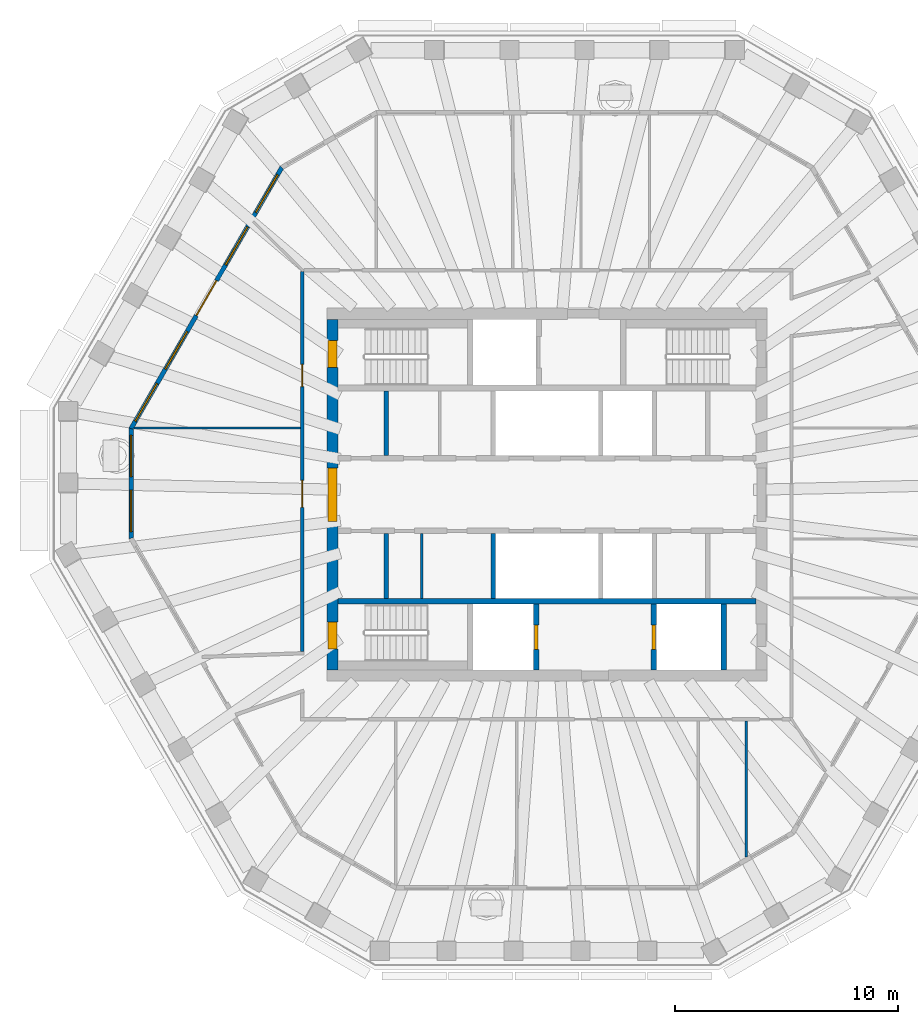
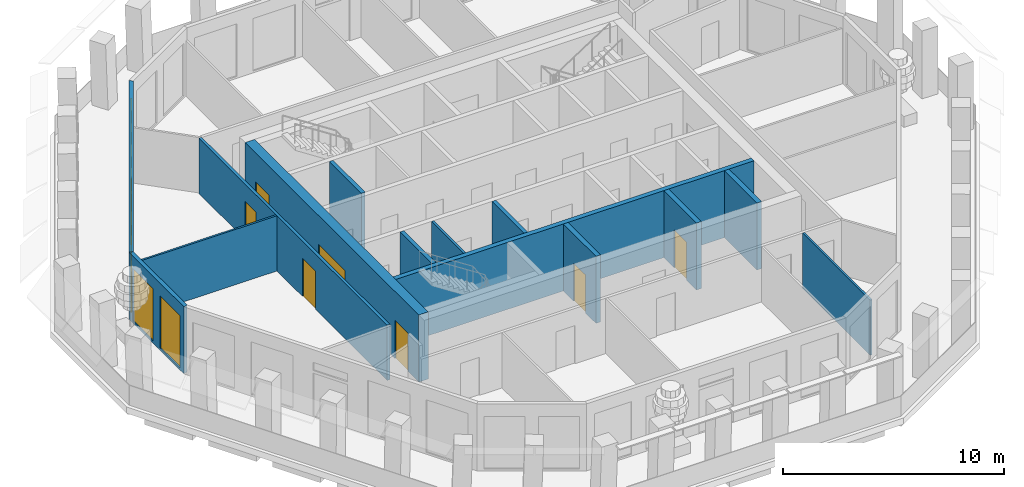
# One storey, part 4 of 11: 14 walls, 8 doors, 7 windows, 15 openings.
"""IFC4 building model written with IfcOpenShell, lengths in metres."""

import ifcopenshell
import ifcopenshell.guid

model = None  # the IFC model being written
_history = None  # IfcOwnerHistory: only IFC2X3 demands one
_inside = {}  # id of a spatial element -> (the spatial element, [elements in it])
_under = {}  # id of a project, library or spatial element -> (it, [spatial elements below it])
_declared = {}  # id of a project -> (the project, [libraries it declares])
_typed = {}  # id of a type object -> (the type object, [elements of that type])
_made_of = {}  # id of a material, layer set ... -> (it, [elements and type objects made of it])


def new_model(schema):
    """Start an empty IFC model of exactly this schema.

    Asked for "IFC4X3", IfcOpenShell would pick the latest addendum, in which some entities
    have other attributes; the version numbers below select the first issue.
    IFC2X3 requires an IfcOwnerHistory on every rooted entity: one is made here for all.
    """
    global model, _history
    if schema == "IFC4X3":
        model = ifcopenshell.file(schema_version=(4, 3, 0, 0))
    else:
        model = ifcopenshell.file(schema=schema)
    _inside.clear()
    _under.clear()
    _declared.clear()
    _typed.clear()
    _made_of.clear()
    _history = None
    if model.schema == "IFC2X3":
        org = make("IfcOrganization", Name="unknown")
        user = make(
            "IfcPersonAndOrganization",
            ThePerson=make("IfcPerson", FamilyName="unknown"),
            TheOrganization=org,
        )
        app = make(
            "IfcApplication",
            ApplicationDeveloper=org,
            Version="unknown",
            ApplicationFullName="unknown",
            ApplicationIdentifier="unknown",
        )
        _history = make(
            "IfcOwnerHistory",
            OwningUser=user,
            OwningApplication=app,
            ChangeAction="ADDED",
            CreationDate=0,
        )
    return model


def make(cls, **values):
    """One entity of the class cls with the attributes given. An attribute that is None is left unset."""
    return model.create_entity(
        cls, **{name: value for name, value in values.items() if value is not None}
    )


def rooted(cls, **values):
    """An entity with a GlobalId (a new one), such as an element, a storey or a relation."""
    return make(cls, GlobalId=ifcopenshell.guid.new(), OwnerHistory=_history, **values)


def si_unit(unit_type, name, prefix=None):
    """IfcSIUnit, for example si_unit("LENGTHUNIT", "METRE", prefix="MILLI")."""
    return make("IfcSIUnit", UnitType=unit_type, Prefix=prefix, Name=name)


def assignment(units):
    """IfcUnitAssignment: the units of a project."""
    return None if units is None else make("IfcUnitAssignment", Units=units)


def point(xyz):
    """IfcCartesianPoint."""
    return None if xyz is None else make("IfcCartesianPoint", Coordinates=xyz)


def direction(xyz):
    """IfcDirection."""
    return None if xyz is None else make("IfcDirection", DirectionRatios=xyz)


def frame(location, z_axis=None, x_axis=None):
    """IfcAxis2Placement3D, a coordinate frame: its origin and axes. An axis left out is left unset."""
    return make(
        "IfcAxis2Placement3D",
        Location=point(location),
        Axis=direction(z_axis),
        RefDirection=direction(x_axis),
    )


def frame_2d(location, x_axis=None):
    """IfcAxis2Placement2D, a coordinate frame in the plane: its origin and x axis."""
    return make(
        "IfcAxis2Placement2D", Location=point(location), RefDirection=direction(x_axis)
    )


def origin():
    """The frame at (0, 0, 0) with its axes left unset."""
    return frame((0.0, 0.0, 0.0))


def place(relative_to, where):
    """IfcLocalPlacement: puts the frame where relative to a parent placement (None: the world)."""
    return make(
        "IfcLocalPlacement", PlacementRelTo=relative_to, RelativePlacement=where
    )


def context(
    kind, dimensions, precision=None, world=None, true_north=None, identifier=None
):
    """IfcGeometricRepresentationContext, for example the 3D "Model" context."""
    return make(
        "IfcGeometricRepresentationContext",
        ContextIdentifier=identifier,
        ContextType=kind,
        CoordinateSpaceDimension=dimensions,
        Precision=precision,
        WorldCoordinateSystem=world,
        TrueNorth=true_north,
    )


def subcontext(parent, identifier, kind, view, scale=None):
    """IfcGeometricRepresentationSubContext, for example "Body" below "Model"."""
    return make(
        "IfcGeometricRepresentationSubContext",
        ContextIdentifier=identifier,
        ContextType=kind,
        ParentContext=parent,
        TargetScale=scale,
        TargetView=view,
    )


def project(units=None, contexts=None):
    """IfcProject with its units and contexts."""
    return rooted(
        "IfcProject",
        Name="project",
        RepresentationContexts=contexts,
        UnitsInContext=assignment(units),
    )


def spatial(cls, under=None, at=None, **own):
    """A site, building, storey or space (cls), placed at a placement, below another one or the project."""
    s = rooted(cls, ObjectPlacement=at, **own)
    if under is not None:
        _under.setdefault(under.id(), (under, []))[1].append(s)
    return s


def polyline(points):
    """IfcPolyline through the points."""
    return make("IfcPolyline", Points=[point(p) for p in points])


def profile(cls, at=None, kind="AREA", **sizes):
    """A parametric profile (cls). Its sizes go by their IFC names, for example OverallWidth=200.0."""
    return make(cls, ProfileType=kind, Position=at, **sizes)


def rectangle(**sizes):
    """IfcRectangleProfileDef."""
    return profile("IfcRectangleProfileDef", **sizes)


def outline(outer, holes=None, kind="AREA"):
    """IfcArbitraryClosedProfileDef: a profile drawn as a closed curve; with holes, ...WithVoids."""
    if holes is None:
        return make("IfcArbitraryClosedProfileDef", ProfileType=kind, OuterCurve=outer)
    return make(
        "IfcArbitraryProfileDefWithVoids",
        ProfileType=kind,
        OuterCurve=outer,
        InnerCurves=holes,
    )


def extrude(swept, where, along, depth):
    """IfcExtrudedAreaSolid: the profile swept, set in the frame where, extruded along a direction by depth."""
    return make(
        "IfcExtrudedAreaSolid",
        SweptArea=swept,
        Position=where,
        ExtrudedDirection=direction(along),
        Depth=depth,
    )


def shape(context_of_items, identifier, shape_type, items):
    """IfcShapeRepresentation: the items that make up one representation, for example the "Body"."""
    return make(
        "IfcShapeRepresentation",
        ContextOfItems=context_of_items,
        RepresentationIdentifier=identifier,
        RepresentationType=shape_type,
        Items=items,
    )


def material(Name=None, Category=None):
    """IfcMaterial."""
    return make("IfcMaterial", Name=Name, Category=Category)


def layer(
    of_material, thickness, ventilated=None, Name=None, Category=None, Priority=None
):
    """IfcMaterialLayer: one layer of a wall or slab, of a material (None: an air gap)."""
    return make(
        "IfcMaterialLayer",
        Material=of_material,
        LayerThickness=thickness,
        IsVentilated=ventilated,
        Name=Name,
        Category=Category,
        Priority=Priority,
    )


def layer_set(layers, Name=None):
    """IfcMaterialLayerSet."""
    return make("IfcMaterialLayerSet", MaterialLayers=layers, LayerSetName=Name)


def made_of(thing, what):
    """Note that an element or type object is made of a material, layer set ...; save() writes the relation."""
    if what is not None:
        _made_of.setdefault(what.id(), (what, []))[1].append(thing)
    return thing


def type_object(cls, material=None, **own):
    """A type object (cls), such as IfcWallType, which elements share."""
    return made_of(rooted(cls, **own), material)


def element(
    cls,
    number,
    at=None,
    inside=None,
    cuts=None,
    type_object=None,
    material=None,
    context=None,
    identifier="Body",
    shape_type=None,
    held_by="IfcProductDefinitionShape",
    body=None,
    shapes=None,
    **own,
):
    """One element of the class cls, such as IfcWall. Its Tag is "e" and its number.

    at: its placement. inside: the storey or other place that contains it. cuts: it is an
    opening in that element (IfcRelVoidsElement). A single representation is given by context,
    identifier, shape_type and body (its items); several are given by shapes. held_by: the class
    of the entity that holds the representations. save() writes the other relations.
    """
    e = rooted(cls, Tag="e%d" % number, ObjectPlacement=at, **own)
    if body is not None:
        shapes = [shape(context, identifier, shape_type, body)]
    if shapes is not None:
        e.Representation = make(held_by, Representations=shapes)
    if inside is not None:
        _inside.setdefault(inside.id(), (inside, []))[1].append(e)
    if cuts is not None:
        rooted(
            "IfcRelVoidsElement", RelatingBuildingElement=cuts, RelatedOpeningElement=e
        )
    if type_object is not None:
        _typed.setdefault(type_object.id(), (type_object, []))[1].append(e)
    return made_of(e, material)


def fill(opening, filler):
    """IfcRelFillsElement: the door or window that sits in an opening."""
    return rooted(
        "IfcRelFillsElement",
        RelatingOpeningElement=opening,
        RelatedBuildingElement=filler,
    )


def aggregate(whole, parts):
    """IfcRelAggregates: a whole, such as a stair, and the parts it consists of."""
    return rooted("IfcRelAggregates", RelatingObject=whole, RelatedObjects=parts)


def save(model, path):
    """Write the relations noted so far, then the file.

    IfcRelAggregates (storeys below a building ...), IfcRelContainedInSpatialStructure (elements
    in a storey), IfcRelDefinesByType, IfcRelAssociatesMaterial and IfcRelDeclares: one each for
    every whole, place, type object, material and project.
    """
    for whole, parts in _under.values():
        aggregate(whole, parts)
    for where, things in _inside.values():
        rooted(
            "IfcRelContainedInSpatialStructure",
            RelatedElements=things,
            RelatingStructure=where,
        )
    for kind, things in _typed.values():
        rooted("IfcRelDefinesByType", RelatedObjects=things, RelatingType=kind)
    for what, things in _made_of.values():
        rooted("IfcRelAssociatesMaterial", RelatedObjects=things, RelatingMaterial=what)
    for by, libraries in _declared.values():
        rooted("IfcRelDeclares", RelatingContext=by, RelatedDefinitions=libraries)
    model.write(path)


model = new_model("IFC4")

# Units and contexts
model_context = context("Model", 3, precision=1e-05, world=origin(), true_north=direction((0.0, 1.0)))
body_context = subcontext(model_context, "Body", "Model", "MODEL_VIEW")
ifc_project = project(units=[si_unit("LENGTHUNIT", "METRE"), si_unit("AREAUNIT", "SQUARE_METRE"), si_unit("VOLUMEUNIT", "CUBIC_METRE"), si_unit("PLANEANGLEUNIT", "RADIAN"), si_unit("MASSUNIT", "GRAM", prefix="KILO")], contexts=[model_context])

# Site, building, storey
site_placement = place(None, origin())
site = spatial("IfcSite", under=ifc_project, at=site_placement, CompositionType="ELEMENT")
building_placement = place(site_placement, origin())
building = spatial("IfcBuilding", under=site, at=building_placement, Name="Frailejon Research Tower", CompositionType="ELEMENT")
storey_placement = place(building_placement, frame((0.0, 0.0, 324.60009765625)))
storey = spatial("IfcBuildingStorey", under=building, at=storey_placement, Name="L72", CompositionType="ELEMENT", Elevation=324.60009765625)

# Wall
ifc_material_1 = material(Name="Plasterboard on steel studs", Category="steel")
ifc_layer_1 = layer(ifc_material_1, 0.125)
ifc_layer_set_1 = layer_set([ifc_layer_1], Name="Core partition 125")
wall_type_1 = type_object("IfcWallType", Name="Core partition 125", PredefinedType="PARTITIONING", material=ifc_layer_set_1)
wall_1_placement = place(storey_placement, frame((-5.60009765625, -4.64990234375, 0.0), z_axis=(0.0, 0.0, 1.0), x_axis=(0.0, 1.0, 0.0)))
element("IfcWall", 1, at=wall_1_placement, inside=storey, type_object=wall_type_1, Name="Core partition", PredefinedType="PARTITIONING", context=body_context, shape_type="SweptSolid", body=[
    extrude(rectangle(XDim=2.89990234375, YDim=0.125, at=frame_2d((1.449951171875, 0.0))), origin(), (0.0, 0.0, 1.0), 3.699951171875),
])

# Wall, openings, doors
ifc_material_2 = material(Name="Concrete C50/60", Category="concrete")
ifc_layer_2 = layer(ifc_material_2, 0.5)
ifc_layer_set_2 = layer_set([ifc_layer_2], Name="Core shear wall 500 C50/60")
wall_type_2 = type_object("IfcWallType", Name="Core shear wall 500 C50/60", PredefinedType="SHEAR", material=ifc_layer_set_2)
wall_2_placement = place(storey_placement, frame((-9.60009765625, -7.85009765625, 0.0), z_axis=(0.0, 0.0, 1.0), x_axis=(0.0, 1.0, 0.0)))
wall_2 = element("IfcWall", 2, at=wall_2_placement, inside=storey, type_object=wall_type_2, Name="Core shear wall", PredefinedType="SHEAR", context=body_context, shape_type="SweptSolid", body=[
    extrude(rectangle(XDim=15.7001953125, YDim=0.5, at=frame_2d((7.85009765625, 0.0))), origin(), (0.0, 0.0, 1.0), 3.699951171875),
])
opening_1_placement = place(wall_2_placement, frame((6.64990234375, 0.0, 0.0)))
opening_1 = element("IfcOpeningElement", 3, at=opening_1_placement, cuts=wall_2, Name="Opening D2", PredefinedType="OPENING", context=body_context, shape_type="SweptSolid", body=[
    extrude(rectangle(XDim=2.39990234375, YDim=2.10009765625, at=frame_2d((1.199951171875, 1.050048828125))), frame((0.0, 0.260009765625, 0.0), z_axis=(0.0, -1.0, 0.0), x_axis=(1.0, 0.0, 0.0)), (0.0, 0.0, 1.0), 0.52001953125),
])
opening_2_placement = place(wall_2_placement, frame((13.550048828125, 0.0, 0.0)))
opening_2 = element("IfcOpeningElement", 4, at=opening_2_placement, cuts=wall_2, Name="Opening D1", PredefinedType="OPENING", context=body_context, shape_type="SweptSolid", body=[
    extrude(rectangle(XDim=1.199951171875, YDim=2.10009765625, at=frame_2d((0.60009765625, 1.050048828125))), frame((0.0, 0.260009765625, 0.0), z_axis=(0.0, -1.0, 0.0), x_axis=(1.0, 0.0, 0.0)), (0.0, 0.0, 1.0), 0.52001953125),
])
opening_3_placement = place(wall_2_placement, frame((0.949951171875, 0.0, 0.0)))
opening_3 = element("IfcOpeningElement", 5, at=opening_3_placement, cuts=wall_2, Name="Opening D1", PredefinedType="OPENING", context=body_context, shape_type="SweptSolid", body=[
    extrude(rectangle(XDim=1.199951171875, YDim=2.10009765625, at=frame_2d((0.60009765625, 1.050048828125))), frame((0.0, 0.260009765625, 0.0), z_axis=(0.0, -1.0, 0.0), x_axis=(1.0, 0.0, 0.0)), (0.0, 0.0, 1.0), 0.52001953125),
])
ifc_material_3 = material(Name="Steel", Category="steel")
door_type_1 = type_object("IfcDoorType", Name="Lobby double door", OperationType="DOUBLE_DOOR_SINGLE_SWING", PredefinedType="DOOR", material=ifc_material_3)
door_1_placement = place(opening_1_placement, origin())
door_1 = element("IfcDoor", 6, at=door_1_placement, inside=storey, type_object=door_type_1, Name="Lobby door", OperationType="DOUBLE_DOOR_SINGLE_SWING", OverallHeight=2.10009765625, OverallWidth=2.39990234375, PredefinedType="DOOR", context=body_context, shape_type="SweptSolid", body=[
    extrude(rectangle(XDim=2.39990234375, YDim=2.10009765625, at=frame_2d((1.199951171875, 1.050048828125))), frame((0.0, 0.199951171875, 0.0), z_axis=(0.0, -1.0, 0.0), x_axis=(1.0, 0.0, 0.0)), (0.0, 0.0, 1.0), 0.39990234375),
])
fill(opening_1, door_1)
ifc_material_4 = material(Name="Steel", Category="steel")
door_type_2 = type_object("IfcDoorType", Name="Stair door", OperationType="SINGLE_SWING_LEFT", PredefinedType="DOOR", material=ifc_material_4)
door_2_placement = place(opening_2_placement, origin())
door_2 = element("IfcDoor", 7, at=door_2_placement, inside=storey, type_object=door_type_2, Name="Stair door ST1", OperationType="SINGLE_SWING_RIGHT", OverallHeight=2.10009765625, OverallWidth=1.199951171875, PredefinedType="DOOR", context=body_context, shape_type="SweptSolid", body=[
    extrude(rectangle(XDim=1.199951171875, YDim=2.10009765625, at=frame_2d((0.60009765625, 1.050048828125))), frame((0.0, 0.199951171875, 0.0), z_axis=(0.0, -1.0, 0.0), x_axis=(1.0, 0.0, 0.0)), (0.0, 0.0, 1.0), 0.39990234375),
])
fill(opening_2, door_2)
door_3_placement = place(opening_3_placement, origin())
door_3 = element("IfcDoor", 8, at=door_3_placement, inside=storey, type_object=door_type_2, Name="Stair door ST2", OperationType="SINGLE_SWING_LEFT", OverallHeight=2.10009765625, OverallWidth=1.199951171875, PredefinedType="DOOR", context=body_context, shape_type="SweptSolid", body=[
    extrude(rectangle(XDim=1.199951171875, YDim=2.10009765625, at=frame_2d((0.60009765625, 1.050048828125))), frame((0.0, 0.199951171875, 0.0), z_axis=(0.0, -1.0, 0.0), x_axis=(1.0, 0.0, 0.0)), (0.0, 0.0, 1.0), 0.39990234375),
])
fill(opening_3, door_3)

ifc_material_5 = material(Name="Gypsum board and masonry partition", Category="masonry")
ifc_layer_3 = layer(ifc_material_5, 0.14990234375)
ifc_layer_set_3 = layer_set([ifc_layer_3], Name="Corridor wall EI 60, gypsum on steel studs 150")
wall_type_3 = type_object("IfcWallType", Name="Corridor wall EI 60, gypsum on steel studs 150", PredefinedType="PARTITIONING", material=ifc_layer_set_3)
wall_3_placement = place(storey_placement, frame((-10.949951171875, -7.02490234375, 0.0), z_axis=(0.0, 0.0, 1.0), x_axis=(0.0, 1.0, 0.0)))
wall_3 = element("IfcWall", 9, at=wall_3_placement, inside=storey, type_object=wall_type_3, Name="T:IW:L72:007", PredefinedType="PARTITIONING", context=body_context, shape_type="SweptSolid", body=[
    extrude(rectangle(XDim=17.02490234375, YDim=0.14990234375, at=frame_2d((8.512451171875, 0.0))), origin(), (0.0, 0.0, 1.0), 3.0498046875),
])
opening_4_placement = place(wall_3_placement, frame((11.856689453125, 0.0, 0.0)))
opening_4 = element("IfcOpeningElement", 10, at=opening_4_placement, cuts=wall_3, Name="Opening D2355", PredefinedType="OPENING", context=body_context, shape_type="SweptSolid", body=[
    extrude(rectangle(XDim=1.0, YDim=2.10009765625, at=frame_2d((0.5, 1.050048828125))), frame((0.0, 0.0849609375, 0.0), z_axis=(0.0, -1.0, 0.0), x_axis=(1.0, 0.0, 0.0)), (0.0, 0.0, 1.0), 0.169921875),
])
opening_5_placement = place(wall_3_placement, frame((6.460693359375, 0.0, 0.0)))
opening_5 = element("IfcOpeningElement", 11, at=opening_5_placement, cuts=wall_3, Name="Opening D2356", PredefinedType="OPENING", context=body_context, shape_type="SweptSolid", body=[
    extrude(rectangle(XDim=1.199951171875, YDim=2.10009765625, at=frame_2d((0.60009765625, 1.050048828125))), frame((0.0, 0.0849609375, 0.0), z_axis=(0.0, -1.0, 0.0), x_axis=(1.0, 0.0, 0.0)), (0.0, 0.0, 1.0), 0.169921875),
])
ifc_material_6 = material(Name="Timber door leaf", Category="wood")
door_type_3 = type_object("IfcDoorType", Name="Door single leaf, timber, steel frame 1000", OperationType="NOTDEFINED", PredefinedType="DOOR", material=ifc_material_6)
door_4_placement = place(opening_4_placement, origin())
door_4 = element("IfcDoor", 12, at=door_4_placement, inside=storey, type_object=door_type_3, Name="D2355", OperationType="SINGLE_SWING_LEFT", OverallHeight=2.10009765625, OverallWidth=1.0, PredefinedType="DOOR", context=body_context, shape_type="SweptSolid", body=[
    extrude(rectangle(XDim=1.0, YDim=2.10009765625, at=frame_2d((0.5, 1.050048828125))), frame((0.0, 0.02490234375, 0.0), z_axis=(0.0, -1.0, 0.0), x_axis=(1.0, 0.0, 0.0)), (0.0, 0.0, 1.0), 0.050048828125),
])
fill(opening_4, door_4)
ifc_material_7 = material(Name="Timber door leaf", Category="wood")
door_type_4 = type_object("IfcDoorType", Name="Door single leaf, timber, steel frame 1200", OperationType="NOTDEFINED", PredefinedType="DOOR", material=ifc_material_7)
door_5_placement = place(opening_5_placement, origin())
door_5 = element("IfcDoor", 13, at=door_5_placement, inside=storey, type_object=door_type_4, Name="D2356", OperationType="DOUBLE_DOOR_SINGLE_SWING", OverallHeight=2.10009765625, OverallWidth=1.199951171875, PredefinedType="DOOR", context=body_context, shape_type="SweptSolid", body=[
    extrude(rectangle(XDim=1.199951171875, YDim=2.10009765625, at=frame_2d((0.60009765625, 1.050048828125))), frame((0.0, 0.02490234375, 0.0), z_axis=(0.0, -1.0, 0.0), x_axis=(1.0, 0.0, 0.0)), (0.0, 0.0, 1.0), 0.050048828125),
])
fill(opening_5, door_5)

# Walls
ifc_material_8 = material(Name="Gypsum board and masonry partition", Category="masonry")
ifc_layer_4 = layer(ifc_material_8, 0.10009765625)
ifc_layer_set_4 = layer_set([ifc_layer_4], Name="Partition, gypsum on steel studs 100")
wall_type_4 = type_object("IfcWallType", Name="Partition, gypsum on steel studs 100", PredefinedType="PARTITIONING", material=ifc_layer_set_4)
wall_4_placement = place(storey_placement, frame((-18.48681640625, 2.9853515625, 0.0), z_axis=(0.0, 0.0, 1.0), x_axis=(1.0, 0.0, 0.0)))
element("IfcWall", 14, at=wall_4_placement, inside=storey, type_object=wall_type_4, Name="T:IW:L72:011", PredefinedType="PARTITIONING", context=body_context, shape_type="SweptSolid", body=[
    extrude(rectangle(XDim=7.4619140625, YDim=0.10009765625, at=frame_2d((3.73095703125, 0.0))), origin(), (0.0, 0.0, 1.0), 3.0498046875),
])
wall_5_placement = place(storey_placement, frame((8.923583984375, -16.230712890625, 0.0), z_axis=(0.0, 0.0, 1.0), x_axis=(0.0, 1.0, 0.0)))
element("IfcWall", 15, at=wall_5_placement, inside=storey, type_object=wall_type_4, Name="T:IW:L72:022", PredefinedType="PARTITIONING", context=body_context, shape_type="SweptSolid", body=[
    extrude(rectangle(XDim=6.105712890625, YDim=0.10009765625, at=frame_2d((3.052734375, 0.0))), origin(), (0.0, 0.0, 1.0), 3.0498046875),
])
ifc_material_9 = material(Name="Concrete C50/60", Category="concrete")
ifc_layer_5 = layer(ifc_material_9, 0.199951171875)
ifc_layer_set_5 = layer_set([ifc_layer_5], Name="Shaft wall 200 C50/60")
wall_type_5 = type_object("IfcWallType", Name="Shaft wall 200 C50/60", PredefinedType="SOLIDWALL", material=ifc_layer_set_5)
for number, where, z_axis, x_axis, name in (
    (16, (-7.199951171875, 1.75, 0.0), (0.0, 0.0, 1.0), (0.0, 1.0, 0.0), "Shaft wall"),
    (17, (-7.199951171875, -4.64990234375, 0.0), (0.0, 0.0, 1.0), (0.0, 1.0, 0.0), "Shaft wall"),
    (18, (-2.39990234375, -4.64990234375, 0.0), (0.0, 0.0, 1.0), (0.0, 1.0, 0.0), "Shaft wall"),
):
    element("IfcWall", number, at=place(storey_placement, frame(where, z_axis=z_axis, x_axis=x_axis)), inside=storey, type_object=wall_type_5, Name=name, PredefinedType="SOLIDWALL", context=body_context, shape_type="SweptSolid", body=[
        extrude(rectangle(XDim=2.89990234375, YDim=0.199951171875, at=frame_2d((1.449951171875, 0.0))), origin(), (0.0, 0.0, 1.0), 3.699951171875),
    ])
ifc_material_10 = material(Name="Concrete C50/60", Category="concrete")
ifc_layer_6 = layer(ifc_material_10, 0.25)
ifc_layer_set_6 = layer_set([ifc_layer_6], Name="Shaft wall 250 C50/60")
wall_type_6 = type_object("IfcWallType", Name="Shaft wall 250 C50/60", PredefinedType="SOLIDWALL", material=ifc_layer_set_6)
wall_6_placement = place(storey_placement, frame((-9.35009765625, -4.77490234375, 0.0), z_axis=(0.0, 0.0, 1.0), x_axis=(1.0, 0.0, 0.0)))
element("IfcWall", 19, at=wall_6_placement, inside=storey, type_object=wall_type_6, Name="Shaft wall", PredefinedType="SOLIDWALL", context=body_context, shape_type="SweptSolid", body=[
    extrude(rectangle(XDim=18.7001953125, YDim=0.25, at=frame_2d((9.35009765625, 0.0))), origin(), (0.0, 0.0, 1.0), 3.699951171875),
])

# Wall, opening, door
wall_7_placement = place(storey_placement, frame((-0.47509765625, -7.85009765625, 0.0), z_axis=(0.0, 0.0, 1.0), x_axis=(0.0, 1.0, 0.0)))
wall_7 = element("IfcWall", 20, at=wall_7_placement, inside=storey, type_object=wall_type_6, Name="Shaft wall", PredefinedType="SOLIDWALL", context=body_context, shape_type="SweptSolid", body=[
    extrude(rectangle(XDim=2.9501953125, YDim=0.25, at=frame_2d((1.47509765625, 0.0))), origin(), (0.0, 0.0, 1.0), 3.699951171875),
])
opening_6_placement = place(wall_7_placement, frame((0.925048828125, 0.0, 0.0)))
opening_6 = element("IfcOpeningElement", 21, at=opening_6_placement, cuts=wall_7, Name="Opening LD", PredefinedType="OPENING", context=body_context, shape_type="SweptSolid", body=[
    extrude(rectangle(XDim=1.10009765625, YDim=2.10009765625, at=frame_2d((0.550048828125, 1.050048828125))), frame((0.0, 0.135009765625, 0.0), z_axis=(0.0, -1.0, 0.0), x_axis=(1.0, 0.0, 0.0)), (0.0, 0.0, 1.0), 0.27001953125),
])
ifc_material_11 = material(Name="Steel", Category="steel")
door_type_5 = type_object("IfcDoorType", Name="Lift landing door", OperationType="DOUBLE_DOOR_SLIDING", PredefinedType="DOOR", material=ifc_material_11)
door_6_placement = place(opening_6_placement, origin())
door_6 = element("IfcDoor", 22, at=door_6_placement, inside=storey, type_object=door_type_5, Name="Lift landing door", OperationType="DOUBLE_DOOR_SLIDING", OverallHeight=2.10009765625, OverallWidth=1.10009765625, PredefinedType="DOOR", context=body_context, shape_type="SweptSolid", body=[
    extrude(rectangle(XDim=1.10009765625, YDim=2.10009765625, at=frame_2d((0.550048828125, 1.050048828125))), frame((0.0, 0.074951171875, 0.0), z_axis=(0.0, -1.0, 0.0), x_axis=(1.0, 0.0, 0.0)), (0.0, 0.0, 1.0), 0.14990234375),
])
fill(opening_6, door_6)

wall_8_placement = place(storey_placement, frame((4.77490234375, -7.85009765625, 0.0), z_axis=(0.0, 0.0, 1.0), x_axis=(0.0, 1.0, 0.0)))
wall_8 = element("IfcWall", 23, at=wall_8_placement, inside=storey, type_object=wall_type_6, Name="Shaft wall", PredefinedType="SOLIDWALL", context=body_context, shape_type="SweptSolid", body=[
    extrude(rectangle(XDim=2.9501953125, YDim=0.25, at=frame_2d((1.47509765625, 0.0))), origin(), (0.0, 0.0, 1.0), 3.699951171875),
])
opening_7_placement = place(wall_8_placement, frame((0.925048828125, 0.0, 0.0)))
opening_7 = element("IfcOpeningElement", 24, at=opening_7_placement, cuts=wall_8, Name="Opening LD", PredefinedType="OPENING", context=body_context, shape_type="SweptSolid", body=[
    extrude(rectangle(XDim=1.10009765625, YDim=2.10009765625, at=frame_2d((0.550048828125, 1.050048828125))), frame((0.0, 0.135009765625, 0.0), z_axis=(0.0, -1.0, 0.0), x_axis=(1.0, 0.0, 0.0)), (0.0, 0.0, 1.0), 0.27001953125),
])
door_7_placement = place(opening_7_placement, origin())
door_7 = element("IfcDoor", 25, at=door_7_placement, inside=storey, type_object=door_type_5, Name="Lift landing door", OperationType="DOUBLE_DOOR_SLIDING", OverallHeight=2.10009765625, OverallWidth=1.10009765625, PredefinedType="DOOR", context=body_context, shape_type="SweptSolid", body=[
    extrude(rectangle(XDim=1.10009765625, YDim=2.10009765625, at=frame_2d((0.550048828125, 1.050048828125))), frame((0.0, 0.074951171875, 0.0), z_axis=(0.0, -1.0, 0.0), x_axis=(1.0, 0.0, 0.0)), (0.0, 0.0, 1.0), 0.14990234375),
])
fill(opening_7, door_7)

# Wall
wall_9_placement = place(storey_placement, frame((7.925048828125, -7.85009765625, 0.0), z_axis=(0.0, 0.0, 1.0), x_axis=(0.0, 1.0, 0.0)))
element("IfcWall", 26, at=wall_9_placement, inside=storey, type_object=wall_type_6, Name="Shaft wall", PredefinedType="SOLIDWALL", context=body_context, shape_type="SweptSolid", body=[
    extrude(rectangle(XDim=2.9501953125, YDim=0.25, at=frame_2d((1.47509765625, 0.0))), origin(), (0.0, 0.0, 1.0), 3.699951171875),
])

# Wall, openings, door, windows
ifc_material_12 = material(Name="Concrete C40/50 precast window wall panel", Category="concrete")
ifc_layer_7 = layer(ifc_material_12, 0.199951171875)
ifc_layer_set_7 = layer_set([ifc_layer_7], Name="Window wall 200")
wall_type_7 = type_object("IfcWallType", Name="Window wall 200", PredefinedType="SOLIDWALL", material=ifc_layer_set_7)
wall_10_placement = place(storey_placement, frame((-11.87109375, 14.644287109375, 0.0), z_axis=(0.0, 0.0, 1.0), x_axis=(-0.500001755459, -0.866024390267, 0.0)))
wall_10 = element("IfcWall", 27, at=wall_10_placement, inside=storey, type_object=wall_type_7, Name="Exterior wall L72", PredefinedType="SOLIDWALL", context=body_context, shape_type="SweptSolid", body=[
    extrude(outline(polyline([(-0.02685546875, -0.10009765625), (1.01513671875, -0.10009765625), (2.057373046875, -0.10009765625), (3.099365234375, -0.10009765625), (4.1416015625, -0.10009765625), (5.18359375, -0.10009765625), (6.225830078125, -0.10009765625), (7.267822265625, -0.10009765625), (8.31005859375, -0.10009765625), (9.35205078125, -0.10009765625), (10.394287109375, -0.10009765625), (11.436279296875, -0.10009765625), (12.478515625, -0.10009765625), (13.5205078125, -0.10009765625), (13.466796875, 0.10009765625), (12.432861328125, 0.10009765625), (11.399169921875, 0.10009765625), (10.365234375, 0.10009765625), (9.33154296875, 0.10009765625), (8.297607421875, 0.10009765625), (7.263671875, 0.10009765625), (6.22998046875, 0.10009765625), (5.196044921875, 0.10009765625), (4.162109375, 0.10009765625), (3.12841796875, 0.10009765625), (2.094482421875, 0.10009765625), (1.060791015625, 0.10009765625), (0.02685546875, 0.10009765625), (-0.02685546875, -0.10009765625)])), origin(), (0.0, 0.0, 1.0), 3.699951171875),
])
opening_8_placement = place(wall_10_placement, frame((0.374267578125, 0.0, 0.10009765625)))
opening_8 = element("IfcOpeningElement", 28, at=opening_8_placement, cuts=wall_10, Name="Opening W27", PredefinedType="OPENING", context=body_context, shape_type="SweptSolid", body=[
    extrude(rectangle(XDim=1.949951171875, YDim=2.89990234375, at=frame_2d((0.97509765625, 1.449951171875))), frame((0.0, 0.10986328125, 0.0), z_axis=(0.0, -1.0, 0.0), x_axis=(1.0, 0.0, 0.0)), (0.0, 0.0, 1.0), 0.219970703125),
])
opening_9_placement = place(wall_10_placement, frame((3.072998046875, 0.0, 0.10009765625)))
opening_9 = element("IfcOpeningElement", 29, at=opening_9_placement, cuts=wall_10, Name="Opening W27", PredefinedType="OPENING", context=body_context, shape_type="SweptSolid", body=[
    extrude(rectangle(XDim=1.949951171875, YDim=2.89990234375, at=frame_2d((0.97509765625, 1.449951171875))), frame((0.0, 0.10986328125, 0.0), z_axis=(0.0, -1.0, 0.0), x_axis=(1.0, 0.0, 0.0)), (0.0, 0.0, 1.0), 0.219970703125),
])
opening_10_placement = place(wall_10_placement, frame((5.8466796875, 0.0, 0.0)))
opening_10 = element("IfcOpeningElement", 30, at=opening_10_placement, cuts=wall_10, Name="Opening LG72-3", PredefinedType="OPENING", context=body_context, shape_type="SweptSolid", body=[
    extrude(rectangle(XDim=1.800048828125, YDim=2.39990234375, at=frame_2d((0.89990234375, 1.199951171875))), frame((0.0, 0.10986328125, 0.0), z_axis=(0.0, -1.0, 0.0), x_axis=(1.0, 0.0, 0.0)), (0.0, 0.0, 1.0), 0.219970703125),
])
opening_11_placement = place(wall_10_placement, frame((5.8466796875, 0.0, 2.550048828125)))
opening_11 = element("IfcOpeningElement", 31, at=opening_11_placement, cuts=wall_10, Name="Opening W1", PredefinedType="OPENING", context=body_context, shape_type="SweptSolid", body=[
    extrude(rectangle(XDim=1.800048828125, YDim=0.449951171875, at=frame_2d((0.89990234375, 0.22509765625))), frame((0.0, 0.10986328125, 0.0), z_axis=(0.0, -1.0, 0.0), x_axis=(1.0, 0.0, 0.0)), (0.0, 0.0, 1.0), 0.219970703125),
])
opening_12_placement = place(wall_10_placement, frame((8.47021484375, 0.0, 0.10009765625)))
opening_12 = element("IfcOpeningElement", 32, at=opening_12_placement, cuts=wall_10, Name="Opening W27", PredefinedType="OPENING", context=body_context, shape_type="SweptSolid", body=[
    extrude(rectangle(XDim=1.949951171875, YDim=2.89990234375, at=frame_2d((0.97509765625, 1.449951171875))), frame((0.0, 0.10986328125, 0.0), z_axis=(0.0, -1.0, 0.0), x_axis=(1.0, 0.0, 0.0)), (0.0, 0.0, 1.0), 0.219970703125),
])
opening_13_placement = place(wall_10_placement, frame((11.1689453125, 0.0, 0.10009765625)))
opening_13 = element("IfcOpeningElement", 33, at=opening_13_placement, cuts=wall_10, Name="Opening W27", PredefinedType="OPENING", context=body_context, shape_type="SweptSolid", body=[
    extrude(rectangle(XDim=1.949951171875, YDim=2.89990234375, at=frame_2d((0.97509765625, 1.449951171875))), frame((0.0, 0.10986328125, 0.0), z_axis=(0.0, -1.0, 0.0), x_axis=(1.0, 0.0, 0.0)), (0.0, 0.0, 1.0), 0.219970703125),
])
ifc_material_13 = material(Name="Aluminium framed glazed door leaf", Category="aluminium")
door_type_6 = type_object("IfcDoorType", Name="Loggia door 1800x2400", OperationType="DOUBLE_DOOR_SINGLE_SWING", PredefinedType="DOOR", material=ifc_material_13)
door_8_placement = place(opening_10_placement, origin())
door_8 = element("IfcDoor", 34, at=door_8_placement, inside=storey, type_object=door_type_6, Name="Door LG72-3", OperationType="DOUBLE_DOOR_SINGLE_SWING", OverallHeight=2.39990234375, OverallWidth=1.800048828125, PredefinedType="DOOR", context=body_context, shape_type="SweptSolid", body=[
    extrude(rectangle(XDim=1.800048828125, YDim=2.39990234375, at=frame_2d((0.89990234375, 1.199951171875))), frame((0.0, 0.02490234375, 0.0), z_axis=(0.0, -1.0, 0.0), x_axis=(1.0, 0.0, 0.0)), (0.0, 0.0, 1.0), 0.050048828125),
])
fill(opening_10, door_8)
ifc_material_14 = material(Name="Aluminium framed double glazing", Category="aluminium")
window_type_1 = type_object("IfcWindowType", Name="Window 1800x450", PartitioningType="SINGLE_PANEL", PredefinedType="WINDOW", material=ifc_material_14)
window_1_placement = place(opening_11_placement, origin())
window_1 = element("IfcWindow", 35, at=window_1_placement, inside=storey, type_object=window_type_1, Name="Window L72", OverallHeight=0.449951171875, OverallWidth=1.800048828125, PartitioningType="SINGLE_PANEL", PredefinedType="WINDOW", context=body_context, shape_type="SweptSolid", body=[
    extrude(rectangle(XDim=1.800048828125, YDim=0.449951171875, at=frame_2d((0.89990234375, 0.22509765625))), frame((0.0, 0.030029296875, 0.0), z_axis=(0.0, -1.0, 0.0), x_axis=(1.0, 0.0, 0.0)), (0.0, 0.0, 1.0), 0.06005859375),
])
fill(opening_11, window_1)
ifc_material_15 = material(Name="Aluminium framed double glazing", Category="aluminium")
window_type_2 = type_object("IfcWindowType", Name="Window 1950x2900", PartitioningType="SINGLE_PANEL", PredefinedType="WINDOW", material=ifc_material_15)
window_2_placement = place(opening_8_placement, origin())
window_2 = element("IfcWindow", 36, at=window_2_placement, inside=storey, type_object=window_type_2, Name="Window L72", OverallHeight=2.89990234375, OverallWidth=1.949951171875, PartitioningType="SINGLE_PANEL", PredefinedType="WINDOW", context=body_context, shape_type="SweptSolid", body=[
    extrude(rectangle(XDim=1.949951171875, YDim=2.89990234375, at=frame_2d((0.97509765625, 1.449951171875))), frame((0.0, 0.030029296875, 0.0), z_axis=(0.0, -1.0, 0.0), x_axis=(1.0, 0.0, 0.0)), (0.0, 0.0, 1.0), 0.06005859375),
])
fill(opening_8, window_2)
window_3_placement = place(opening_9_placement, origin())
window_3 = element("IfcWindow", 37, at=window_3_placement, inside=storey, type_object=window_type_2, Name="Window L72", OverallHeight=2.89990234375, OverallWidth=1.949951171875, PartitioningType="SINGLE_PANEL", PredefinedType="WINDOW", context=body_context, shape_type="SweptSolid", body=[
    extrude(rectangle(XDim=1.949951171875, YDim=2.89990234375, at=frame_2d((0.97509765625, 1.449951171875))), frame((0.0, 0.030029296875, 0.0), z_axis=(0.0, -1.0, 0.0), x_axis=(1.0, 0.0, 0.0)), (0.0, 0.0, 1.0), 0.06005859375),
])
fill(opening_9, window_3)
window_4_placement = place(opening_12_placement, origin())
window_4 = element("IfcWindow", 38, at=window_4_placement, inside=storey, type_object=window_type_2, Name="Window L72", OverallHeight=2.89990234375, OverallWidth=1.949951171875, PartitioningType="SINGLE_PANEL", PredefinedType="WINDOW", context=body_context, shape_type="SweptSolid", body=[
    extrude(rectangle(XDim=1.949951171875, YDim=2.89990234375, at=frame_2d((0.97509765625, 1.449951171875))), frame((0.0, 0.030029296875, 0.0), z_axis=(0.0, -1.0, 0.0), x_axis=(1.0, 0.0, 0.0)), (0.0, 0.0, 1.0), 0.06005859375),
])
fill(opening_12, window_4)
window_5_placement = place(opening_13_placement, origin())
window_5 = element("IfcWindow", 39, at=window_5_placement, inside=storey, type_object=window_type_2, Name="Window L72", OverallHeight=2.89990234375, OverallWidth=1.949951171875, PartitioningType="SINGLE_PANEL", PredefinedType="WINDOW", context=body_context, shape_type="SweptSolid", body=[
    extrude(rectangle(XDim=1.949951171875, YDim=2.89990234375, at=frame_2d((0.97509765625, 1.449951171875))), frame((0.0, 0.030029296875, 0.0), z_axis=(0.0, -1.0, 0.0), x_axis=(1.0, 0.0, 0.0)), (0.0, 0.0, 1.0), 0.06005859375),
])
fill(opening_13, window_5)

# Wall, openings, windows
wall_11_placement = place(storey_placement, frame((-18.617919921875, 2.95849609375, 0.0), z_axis=(0.0, 0.0, 1.0), x_axis=(0.0, -1.0, 0.0)))
wall_11 = element("IfcWall", 40, at=wall_11_placement, inside=storey, type_object=wall_type_7, Name="Exterior wall L72", PredefinedType="SOLIDWALL", context=body_context, shape_type="SweptSolid", body=[
    extrude(outline(polyline([(-0.02685546875, -0.10009765625), (1.21435546875, -0.10009765625), (2.45556640625, -0.10009765625), (3.697021484375, -0.10009765625), (4.938232421875, -0.10009765625), (4.884521484375, 0.10009765625), (3.670166015625, 0.10009765625), (2.45556640625, 0.10009765625), (1.2412109375, 0.10009765625), (0.02685546875, 0.10009765625), (-0.02685546875, -0.10009765625)])), origin(), (0.0, 0.0, 1.0), 3.699951171875),
])
opening_14_placement = place(wall_11_placement, frame((0.302978515625, 0.0, 0.10009765625)))
opening_14 = element("IfcOpeningElement", 41, at=opening_14_placement, cuts=wall_11, Name="Opening W26", PredefinedType="OPENING", context=body_context, shape_type="SweptSolid", body=[
    extrude(rectangle(XDim=1.85009765625, YDim=2.89990234375, at=frame_2d((0.925048828125, 1.449951171875))), frame((0.0, 0.10986328125, 0.0), z_axis=(0.0, -1.0, 0.0), x_axis=(1.0, 0.0, 0.0)), (0.0, 0.0, 1.0), 0.219970703125),
])
opening_15_placement = place(wall_11_placement, frame((2.7587890625, 0.0, 0.10009765625)))
opening_15 = element("IfcOpeningElement", 42, at=opening_15_placement, cuts=wall_11, Name="Opening W26", PredefinedType="OPENING", context=body_context, shape_type="SweptSolid", body=[
    extrude(rectangle(XDim=1.85009765625, YDim=2.89990234375, at=frame_2d((0.925048828125, 1.449951171875))), frame((0.0, 0.10986328125, 0.0), z_axis=(0.0, -1.0, 0.0), x_axis=(1.0, 0.0, 0.0)), (0.0, 0.0, 1.0), 0.219970703125),
])
ifc_material_16 = material(Name="Aluminium framed double glazing", Category="aluminium")
window_type_3 = type_object("IfcWindowType", Name="Window 1850x2900", PartitioningType="SINGLE_PANEL", PredefinedType="WINDOW", material=ifc_material_16)
window_6_placement = place(opening_14_placement, origin())
window_6 = element("IfcWindow", 43, at=window_6_placement, inside=storey, type_object=window_type_3, Name="Window L72", OverallHeight=2.89990234375, OverallWidth=1.85009765625, PartitioningType="SINGLE_PANEL", PredefinedType="WINDOW", context=body_context, shape_type="SweptSolid", body=[
    extrude(rectangle(XDim=1.85009765625, YDim=2.89990234375, at=frame_2d((0.925048828125, 1.449951171875))), frame((0.0, 0.030029296875, 0.0), z_axis=(0.0, -1.0, 0.0), x_axis=(1.0, 0.0, 0.0)), (0.0, 0.0, 1.0), 0.06005859375),
])
fill(opening_14, window_6)
window_7_placement = place(opening_15_placement, origin())
window_7 = element("IfcWindow", 44, at=window_7_placement, inside=storey, type_object=window_type_3, Name="Window L72", OverallHeight=2.89990234375, OverallWidth=1.85009765625, PartitioningType="SINGLE_PANEL", PredefinedType="WINDOW", context=body_context, shape_type="SweptSolid", body=[
    extrude(rectangle(XDim=1.85009765625, YDim=2.89990234375, at=frame_2d((0.925048828125, 1.449951171875))), frame((0.0, 0.030029296875, 0.0), z_axis=(0.0, -1.0, 0.0), x_axis=(1.0, 0.0, 0.0)), (0.0, 0.0, 1.0), 0.06005859375),
])
fill(opening_15, window_7)

save(model, "model.ifc")
